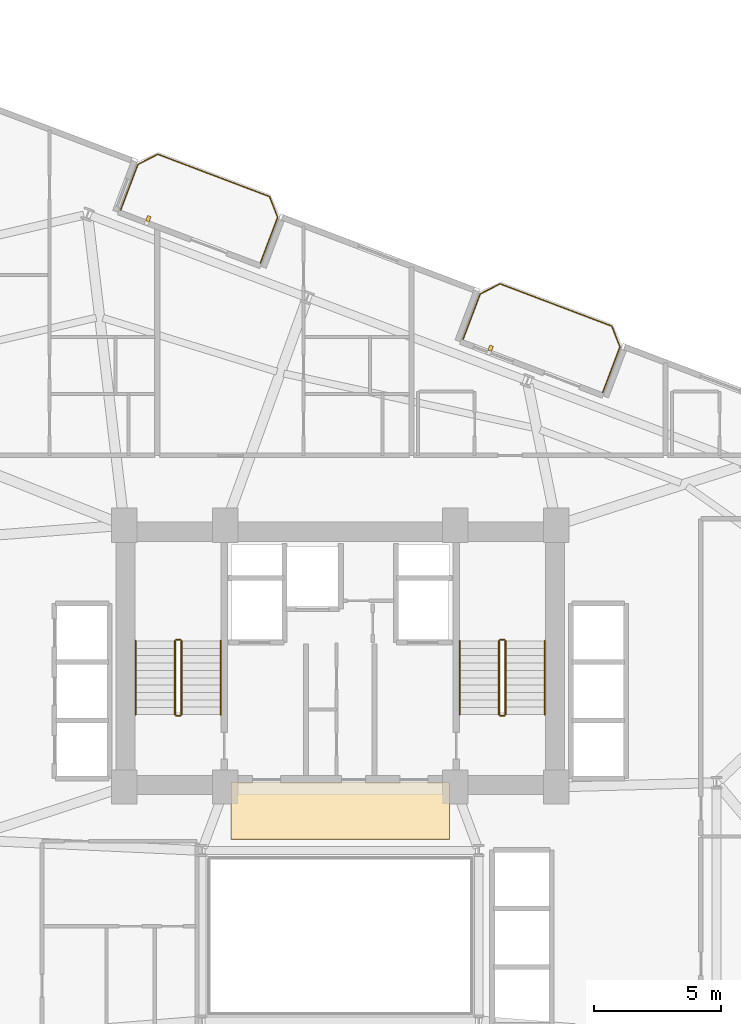
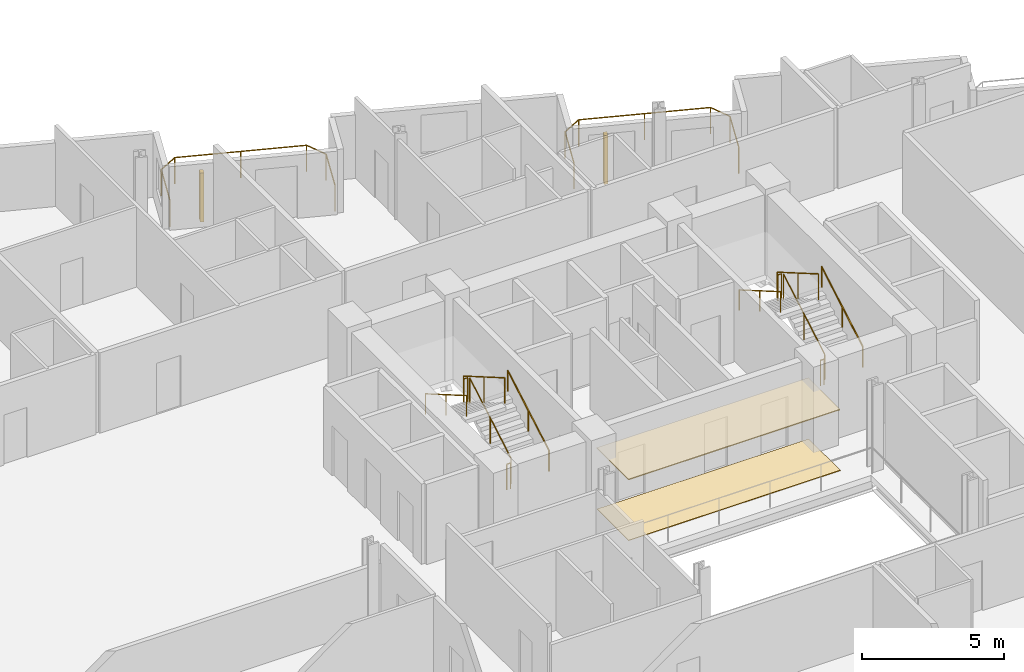
# One storey, part 23 of 24: 14 railings, 2 coverings, 2 shading devices.
"""IFC4 building model written with IfcOpenShell, lengths in metres."""

from ifc_helpers import new_model, si_unit, direction, frame, origin, origin_2d, place, context, subcontext, project, spatial, rectangle, circle, extrude, source, transform, mapped, material, layer, layer_set, type_object, element, save


model = new_model("IFC4")

# Units and contexts
model_context = context("Model", 3, precision=1e-05, world=origin(), true_north=direction((0.0, 1.0)))
body_context = subcontext(model_context, "Body", "Model", "MODEL_VIEW")
ifc_project = project(units=[si_unit("LENGTHUNIT", "METRE"), si_unit("AREAUNIT", "SQUARE_METRE"), si_unit("VOLUMEUNIT", "CUBIC_METRE"), si_unit("PLANEANGLEUNIT", "RADIAN"), si_unit("MASSUNIT", "GRAM", prefix="KILO")], contexts=[model_context])

# Site, building, storey
site_placement = place(None, origin())
site = spatial("IfcSite", under=ifc_project, at=site_placement, CompositionType="ELEMENT")
building_placement = place(site_placement, origin())
building = spatial("IfcBuilding", under=site, at=building_placement, Name="Varnelok Gate Tower", CompositionType="ELEMENT")
storey_placement = place(building_placement, frame((0.0, 0.0, 98.39990234375)))
storey = spatial("IfcBuildingStorey", under=building, at=storey_placement, Name="L24", CompositionType="ELEMENT", Elevation=98.39990234375)

# Railings
ifc_material_1 = material(Name="Low-E Laminated Double Glazing IGU", Category="glass")
railing_type_1 = type_object("IfcRailingType", Name="RL-BALC-1150", PredefinedType="BALUSTRADE", material=ifc_material_1)
railing_1_placement = place(storey_placement, frame((30.560302734375, 51.453125, 0.0)))
element("IfcRailing", 1, at=railing_1_placement, inside=storey, type_object=railing_type_1, Name="L24 North Terrace Balustrade 4", PredefinedType="BALUSTRADE", context=body_context, shape_type="SweptSolid", body=[
    extrude(circle(Radius=0.02392578125, at=origin_2d()), frame((0.0, 0.0, 1.1259765625), z_axis=(0.354006333352, 0.935243025073, 0.0), x_axis=(-0.935243025073, 0.354006333352, 0.0)), (0.0, 0.0, 1.0), 1.919921875),
    extrude(circle(Radius=0.02392578125, at=origin_2d()), frame((0.6796875, 1.795654296875, 1.1259765625), z_axis=(0.89078254773, 0.454429810487, 0.0), x_axis=(-0.454429810487, 0.89078254773, 0.0)), (0.0, 0.0, 1.0), 0.8779296875),
    extrude(circle(Radius=0.02392578125, at=origin_2d()), frame((1.461669921875, 2.194580078125, 1.1259765625), z_axis=(0.935223045203, -0.354059113314, 0.0), x_axis=(0.354059113314, 0.935223045203, 0.0)), (0.0, 0.0, 1.0), 4.699951171875),
    extrude(circle(Radius=0.02392578125, at=origin_2d()), frame((5.857177734375, 0.530517578125, 1.1259765625), z_axis=(0.366349384437, -0.930477365938, 0.0), x_axis=(0.930477365938, 0.366349384437, 0.0)), (0.0, 0.0, 1.0), 0.877685546875),
    extrude(circle(Radius=0.02392578125, at=origin_2d()), frame((6.1787109375, -0.2861328125, 1.1259765625), z_axis=(-0.354006333352, -0.935243025073, 0.0), x_axis=(0.935243025073, -0.354006333352, 0.0)), (0.0, 0.0, 1.0), 1.919921875),
    extrude(circle(Radius=0.02099609375, at=origin_2d()), origin(), (0.0, 0.0, 1.0), 1.101806640625),
    extrude(circle(Radius=0.02099609375, at=origin_2d()), frame((0.6796875, 1.795654296875, 0.0)), (0.0, 0.0, 1.0), 1.101806640625),
    extrude(circle(Radius=0.02099609375, at=origin_2d()), frame((1.461669921875, 2.194580078125, 0.0)), (0.0, 0.0, 1.0), 1.101806640625),
    extrude(circle(Radius=0.02099609375, at=origin_2d()), frame((3.659423828125, 1.362548828125, 0.0)), (0.0, 0.0, 1.0), 1.101806640625),
    extrude(circle(Radius=0.02099609375, at=origin_2d()), frame((5.857177734375, 0.530517578125, 0.0)), (0.0, 0.0, 1.0), 1.101806640625),
    extrude(circle(Radius=0.02099609375, at=origin_2d()), frame((6.1787109375, -0.2861328125, 0.0)), (0.0, 0.0, 1.0), 1.101806640625),
    extrude(circle(Radius=0.02099609375, at=origin_2d()), frame((5.4990234375, -2.081787109375, 0.0)), (0.0, 0.0, 1.0), 1.101806640625),
])
railing_2_placement = place(storey_placement, frame((44.02734375, 46.354736328125, 0.0)))
element("IfcRailing", 2, at=railing_2_placement, inside=storey, type_object=railing_type_1, Name="L24 North Terrace Balustrade 5", PredefinedType="BALUSTRADE", context=body_context, shape_type="SweptSolid", body=[
    extrude(circle(Radius=0.02392578125, at=origin_2d()), frame((0.0, 0.0, 1.1259765625), z_axis=(0.354117547856, 0.935200920819, 0.0), x_axis=(-0.935200920819, 0.354117547856, 0.0)), (0.0, 0.0, 1.0), 1.920166015625),
    extrude(circle(Radius=0.02392578125, at=origin_2d()), frame((0.679931640625, 1.795654296875, 1.1259765625), z_axis=(0.890725095116, 0.454542412686, 0.0), x_axis=(-0.454542412686, 0.890725095116, 0.0)), (0.0, 0.0, 1.0), 0.877685546875),
    extrude(circle(Radius=0.02392578125, at=origin_2d()), frame((1.461669921875, 2.194580078125, 1.1259765625), z_axis=(0.935223045203, -0.354059113314, 0.0), x_axis=(0.354059113314, 0.935223045203, 0.0)), (0.0, 0.0, 1.0), 4.699951171875),
    extrude(circle(Radius=0.02392578125, at=origin_2d()), frame((5.857177734375, 0.530517578125, 1.1259765625), z_axis=(0.366495340819, -0.93041988648, 0.0), x_axis=(0.93041988648, 0.366495340819, 0.0)), (0.0, 0.0, 1.0), 0.8779296875),
    extrude(circle(Radius=0.02392578125, at=origin_2d()), frame((6.178955078125, -0.286376953125, 1.1259765625), z_axis=(-0.354006333352, -0.935243025073, 0.0), x_axis=(0.935243025073, -0.354006333352, 0.0)), (0.0, 0.0, 1.0), 1.919921875),
    extrude(circle(Radius=0.02099609375, at=origin_2d()), origin(), (0.0, 0.0, 1.0), 1.101806640625),
    extrude(circle(Radius=0.02099609375, at=origin_2d()), frame((0.679931640625, 1.795654296875, 0.0)), (0.0, 0.0, 1.0), 1.101806640625),
    extrude(circle(Radius=0.02099609375, at=origin_2d()), frame((1.461669921875, 2.194580078125, 0.0)), (0.0, 0.0, 1.0), 1.101806640625),
    extrude(circle(Radius=0.02099609375, at=origin_2d()), frame((3.659423828125, 1.362548828125, 0.0)), (0.0, 0.0, 1.0), 1.101806640625),
    extrude(circle(Radius=0.02099609375, at=origin_2d()), frame((5.857177734375, 0.530517578125, 0.0)), (0.0, 0.0, 1.0), 1.101806640625),
    extrude(circle(Radius=0.02099609375, at=origin_2d()), frame((6.178955078125, -0.286376953125, 0.0)), (0.0, 0.0, 1.0), 1.101806640625),
    extrude(circle(Radius=0.02099609375, at=origin_2d()), frame((5.499267578125, -2.08203125, 0.0)), (0.0, 0.0, 1.0), 1.101806640625),
])
ifc_material_2 = material(Name="Brushed Stainless Steel AISI 316", Category="steel")
railing_type_2 = type_object("IfcRailingType", Name="RL-HANDRAIL-900", PredefinedType="HANDRAIL", material=ifc_material_2)
railing_3_placement = place(storey_placement, frame((34.5, 31.60009765625, 0.168212890625)))
element("IfcRailing", 3, at=railing_3_placement, inside=storey, type_object=railing_type_2, Name="L24 ST-1 stair handrail 1", PredefinedType="HANDRAIL", context=body_context, shape_type="SweptSolid", body=[
    extrude(circle(Radius=0.02392578125, at=origin_2d()), frame((0.0, 0.0, 0.8759765625), z_axis=(0.0, 0.865038774852, 0.501705010941), x_axis=(-1.0, 0.0, 0.0)), (0.0, 0.0, 1.0), 3.352294921875),
    extrude(circle(Radius=0.02099609375, at=origin_2d()), origin(), (0.0, 0.0, 1.0), 0.851806640625),
    extrude(circle(Radius=0.02099609375, at=origin_2d()), frame((0.0, 1.449951171875, 0.8408203125)), (0.0, 0.0, 1.0), 0.851806640625),
    extrude(circle(Radius=0.02099609375, at=origin_2d()), frame((0.0, 2.89990234375, 1.681884765625)), (0.0, 0.0, 1.0), 0.851806640625),
])
railing_4_placement = place(storey_placement, frame((31.14990234375, 34.5, 2.018310546875)))
element("IfcRailing", 4, at=railing_4_placement, inside=storey, type_object=railing_type_2, Name="L24 ST-1 stair handrail 2", PredefinedType="HANDRAIL", context=body_context, shape_type="SweptSolid", body=[
    extrude(circle(Radius=0.02392578125, at=origin_2d()), frame((0.0, 0.0, 0.8759765625), z_axis=(0.0, -0.865038774852, 0.501705010941), x_axis=(1.0, 0.0, 0.0)), (0.0, 0.0, 1.0), 3.352294921875),
    extrude(circle(Radius=0.02099609375, at=origin_2d()), origin(), (0.0, 0.0, 1.0), 0.851806640625),
    extrude(circle(Radius=0.02099609375, at=origin_2d()), frame((0.0, -1.449951171875, 0.8408203125)), (0.0, 0.0, 1.0), 0.851806640625),
    extrude(circle(Radius=0.02099609375, at=origin_2d()), frame((0.0, -2.89990234375, 1.681884765625)), (0.0, 0.0, 1.0), 0.851806640625),
])
railing_5_placement = place(storey_placement, frame((47.25, 31.60009765625, 0.168212890625)))
element("IfcRailing", 5, at=railing_5_placement, inside=storey, type_object=railing_type_2, Name="L24 ST-2 stair handrail 1", PredefinedType="HANDRAIL", context=body_context, shape_type="SweptSolid", body=[
    extrude(circle(Radius=0.02392578125, at=origin_2d()), frame((0.0, 0.0, 0.8759765625), z_axis=(0.0, 0.865038774852, 0.501705010941), x_axis=(-1.0, 0.0, 0.0)), (0.0, 0.0, 1.0), 3.352294921875),
    extrude(circle(Radius=0.02099609375, at=origin_2d()), origin(), (0.0, 0.0, 1.0), 0.851806640625),
    extrude(circle(Radius=0.02099609375, at=origin_2d()), frame((0.0, 1.449951171875, 0.8408203125)), (0.0, 0.0, 1.0), 0.851806640625),
    extrude(circle(Radius=0.02099609375, at=origin_2d()), frame((0.0, 2.89990234375, 1.681884765625)), (0.0, 0.0, 1.0), 0.851806640625),
])
railing_6_placement = place(storey_placement, frame((43.89990234375, 34.5, 2.018310546875)))
element("IfcRailing", 6, at=railing_6_placement, inside=storey, type_object=railing_type_2, Name="L24 ST-2 stair handrail 2", PredefinedType="HANDRAIL", context=body_context, shape_type="SweptSolid", body=[
    extrude(circle(Radius=0.02392578125, at=origin_2d()), frame((0.0, 0.0, 0.8759765625), z_axis=(0.0, -0.865038774852, 0.501705010941), x_axis=(1.0, 0.0, 0.0)), (0.0, 0.0, 1.0), 3.352294921875),
    extrude(circle(Radius=0.02099609375, at=origin_2d()), origin(), (0.0, 0.0, 1.0), 0.851806640625),
    extrude(circle(Radius=0.02099609375, at=origin_2d()), frame((0.0, -1.449951171875, 0.8408203125)), (0.0, 0.0, 1.0), 0.851806640625),
    extrude(circle(Radius=0.02099609375, at=origin_2d()), frame((0.0, -2.89990234375, 1.681884765625)), (0.0, 0.0, 1.0), 0.851806640625),
])
ifc_material_3 = material(Name="Galvanized Steel Grade S350GD", Category="steel")
railing_type_3 = type_object("IfcRailingType", Name="RL-STAIR-GUARD1120", PredefinedType="GUARDRAIL", material=ifc_material_3)
railing_7_placement = place(storey_placement, frame((32.949951171875, 31.60009765625, 0.168212890625)))
element("IfcRailing", 7, at=railing_7_placement, inside=storey, type_object=railing_type_3, Name="L24 ST-1 stair guard 1", PredefinedType="GUARDRAIL", context=body_context, shape_type="SweptSolid", body=[
    extrude(circle(Radius=0.02392578125, at=origin_2d()), frame((0.0, 0.0, 1.09619140625), z_axis=(0.0, 0.865038774852, 0.501705010941), x_axis=(-1.0, 0.0, 0.0)), (0.0, 0.0, 1.0), 3.352294921875),
    extrude(circle(Radius=0.02099609375, at=origin_2d()), origin(), (0.0, 0.0, 1.0), 1.072021484375),
    extrude(circle(Radius=0.02099609375, at=origin_2d()), frame((0.0, 1.449951171875, 0.8408203125)), (0.0, 0.0, 1.0), 1.072021484375),
    extrude(circle(Radius=0.02099609375, at=origin_2d()), frame((0.0, 2.89990234375, 1.681884765625)), (0.0, 0.0, 1.0), 1.072021484375),
])
railing_8_placement = place(storey_placement, frame((32.89990234375, 34.550048828125, 1.85009765625)))
element("IfcRailing", 8, at=railing_8_placement, inside=storey, type_object=railing_type_3, Name="L24 ST-1 stair guard 2", PredefinedType="GUARDRAIL", context=body_context, shape_type="SweptSolid", body=[
    extrude(circle(Radius=0.02392578125, at=origin_2d()), frame((0.0, 0.0, 1.09619140625), z_axis=(-1.0, 0.0, 0.0), x_axis=(0.0, -1.0, 0.0)), (0.0, 0.0, 1.0), 0.14990234375),
    extrude(circle(Radius=0.02099609375, at=origin_2d()), origin(), (0.0, 0.0, 1.0), 1.072021484375),
    extrude(circle(Radius=0.02099609375, at=origin_2d()), frame((-0.14990234375, 0.0, 0.0)), (0.0, 0.0, 1.0), 1.072021484375),
])
railing_9_placement = place(storey_placement, frame((32.699951171875, 34.5, 2.018310546875)))
element("IfcRailing", 9, at=railing_9_placement, inside=storey, type_object=railing_type_3, Name="L24 ST-1 stair guard 3", PredefinedType="GUARDRAIL", context=body_context, shape_type="SweptSolid", body=[
    extrude(circle(Radius=0.02392578125, at=origin_2d()), frame((0.0, 0.0, 1.09619140625), z_axis=(0.0, -0.865038774852, 0.501705010941), x_axis=(1.0, 0.0, 0.0)), (0.0, 0.0, 1.0), 3.352294921875),
    extrude(circle(Radius=0.02099609375, at=origin_2d()), origin(), (0.0, 0.0, 1.0), 1.072021484375),
    extrude(circle(Radius=0.02099609375, at=origin_2d()), frame((0.0, -1.449951171875, 0.8408203125)), (0.0, 0.0, 1.0), 1.072021484375),
    extrude(circle(Radius=0.02099609375, at=origin_2d()), frame((0.0, -2.89990234375, 1.681884765625)), (0.0, 0.0, 1.0), 1.072021484375),
])
railing_10_placement = place(storey_placement, frame((32.89990234375, 31.550048828125, 0.0)))
element("IfcRailing", 10, at=railing_10_placement, inside=storey, type_object=railing_type_3, Name="L24 ST-1 stair guard 4", PredefinedType="GUARDRAIL", context=body_context, shape_type="SweptSolid", body=[
    extrude(circle(Radius=0.02392578125, at=origin_2d()), frame((0.0, 0.0, 1.09619140625), z_axis=(-1.0, 0.0, 0.0), x_axis=(0.0, -1.0, 0.0)), (0.0, 0.0, 1.0), 0.14990234375),
    extrude(circle(Radius=0.02099609375, at=origin_2d()), origin(), (0.0, 0.0, 1.0), 1.072021484375),
    extrude(circle(Radius=0.02099609375, at=origin_2d()), frame((-0.14990234375, 0.0, 0.0)), (0.0, 0.0, 1.0), 1.072021484375),
])
railing_11_placement = place(storey_placement, frame((45.699951171875, 31.60009765625, 0.168212890625)))
element("IfcRailing", 11, at=railing_11_placement, inside=storey, type_object=railing_type_3, Name="L24 ST-2 stair guard 1", PredefinedType="GUARDRAIL", context=body_context, shape_type="SweptSolid", body=[
    extrude(circle(Radius=0.02392578125, at=origin_2d()), frame((0.0, 0.0, 1.09619140625), z_axis=(0.0, 0.865038774852, 0.501705010941), x_axis=(-1.0, 0.0, 0.0)), (0.0, 0.0, 1.0), 3.352294921875),
    extrude(circle(Radius=0.02099609375, at=origin_2d()), origin(), (0.0, 0.0, 1.0), 1.072021484375),
    extrude(circle(Radius=0.02099609375, at=origin_2d()), frame((0.0, 1.449951171875, 0.8408203125)), (0.0, 0.0, 1.0), 1.072021484375),
    extrude(circle(Radius=0.02099609375, at=origin_2d()), frame((0.0, 2.89990234375, 1.681884765625)), (0.0, 0.0, 1.0), 1.072021484375),
])
railing_12_placement = place(storey_placement, frame((45.64990234375, 34.550048828125, 1.85009765625)))
element("IfcRailing", 12, at=railing_12_placement, inside=storey, type_object=railing_type_3, Name="L24 ST-2 stair guard 2", PredefinedType="GUARDRAIL", context=body_context, shape_type="SweptSolid", body=[
    extrude(circle(Radius=0.02392578125, at=origin_2d()), frame((0.0, 0.0, 1.09619140625), z_axis=(-1.0, 0.0, 0.0), x_axis=(0.0, -1.0, 0.0)), (0.0, 0.0, 1.0), 0.14990234375),
    extrude(circle(Radius=0.02099609375, at=origin_2d()), origin(), (0.0, 0.0, 1.0), 1.072021484375),
    extrude(circle(Radius=0.02099609375, at=origin_2d()), frame((-0.14990234375, 0.0, 0.0)), (0.0, 0.0, 1.0), 1.072021484375),
])
railing_13_placement = place(storey_placement, frame((45.449951171875, 34.5, 2.018310546875)))
element("IfcRailing", 13, at=railing_13_placement, inside=storey, type_object=railing_type_3, Name="L24 ST-2 stair guard 3", PredefinedType="GUARDRAIL", context=body_context, shape_type="SweptSolid", body=[
    extrude(circle(Radius=0.02392578125, at=origin_2d()), frame((0.0, 0.0, 1.09619140625), z_axis=(0.0, -0.865038774852, 0.501705010941), x_axis=(1.0, 0.0, 0.0)), (0.0, 0.0, 1.0), 3.352294921875),
    extrude(circle(Radius=0.02099609375, at=origin_2d()), origin(), (0.0, 0.0, 1.0), 1.072021484375),
    extrude(circle(Radius=0.02099609375, at=origin_2d()), frame((0.0, -1.449951171875, 0.8408203125)), (0.0, 0.0, 1.0), 1.072021484375),
    extrude(circle(Radius=0.02099609375, at=origin_2d()), frame((0.0, -2.89990234375, 1.681884765625)), (0.0, 0.0, 1.0), 1.072021484375),
])
railing_14_placement = place(storey_placement, frame((45.64990234375, 31.550048828125, 0.0)))
element("IfcRailing", 14, at=railing_14_placement, inside=storey, type_object=railing_type_3, Name="L24 ST-2 stair guard 4", PredefinedType="GUARDRAIL", context=body_context, shape_type="SweptSolid", body=[
    extrude(circle(Radius=0.02392578125, at=origin_2d()), frame((0.0, 0.0, 1.09619140625), z_axis=(-1.0, 0.0, 0.0), x_axis=(0.0, -1.0, 0.0)), (0.0, 0.0, 1.0), 0.14990234375),
    extrude(circle(Radius=0.02099609375, at=origin_2d()), origin(), (0.0, 0.0, 1.0), 1.072021484375),
    extrude(circle(Radius=0.02099609375, at=origin_2d()), frame((-0.14990234375, 0.0, 0.0)), (0.0, 0.0, 1.0), 1.072021484375),
])

# Shading devices
ifc_material_4 = material(Name="Glazed Architectural Terracotta Ceramic", Category="masonry")
shading_device_type = type_object("IfcShadingDeviceType", Name="SHD-TERRA-BAGUETTE", PredefinedType="USERDEFINED", material=ifc_material_4)
shared_shape_1 = source(origin(), body_context, "Body", "SweptSolid", [
    extrude(rectangle(XDim=0.139892578125, YDim=0.219970703125, at=origin_2d()), origin(), (0.0, 0.0, 1.0), 2.10009765625),
])
for number, where, z_axis, x_axis, name in (
    (15, (31.651123046875, 51.114990234375, 0.10009765625), (0.0, 0.0, 1.0), (0.935221751401, -0.354062530786, 0.0), "L24 Terracotta Ceramic Baguette Sunscreen 4.1"),
    (16, (45.118408203125, 46.0166015625, 0.10009765625), (0.0, 0.0, 1.0), (0.935221751401, -0.354062530786, 0.0), "L24 Terracotta Ceramic Baguette Sunscreen 5.1"),
):
    element("IfcShadingDevice", number, at=place(storey_placement, frame(where, z_axis=z_axis, x_axis=x_axis)), inside=storey, type_object=shading_device_type, Name=name, ObjectType="BAGUETTE", PredefinedType="USERDEFINED", context=body_context, shape_type="MappedRepresentation", body=[
        mapped(shared_shape_1, transform((0.0, 0.0, 0.0), scale=1.0)),
    ])

# Coverings
ifc_material_5 = material(Name="Honed Travertine Stone Flooring", Category="masonry")
ifc_layer_1 = layer(ifc_material_5, 0.02490234375)
ifc_layer_set_1 = layer_set([ifc_layer_1], Name="Honed Travertine Stone Flooring")
covering_type_1 = type_object("IfcCoveringType", Name="COV-FLOR-STONE", PredefinedType="FLOORING", material=ifc_layer_set_1)
shared_shape_2 = source(origin(), body_context, "Body", "SweptSolid", [
    extrude(rectangle(XDim=8.60009765625, YDim=2.219970703125, at=origin_2d()), origin(), (0.0, 0.0, 1.0), 0.02490234375),
])
covering_1_placement = place(storey_placement, frame((39.199951171875, 27.800048828125, 0.000244140625), z_axis=(0.0, 0.0, 1.0), x_axis=(1.0, 0.0, 0.0)))
element("IfcCovering", 17, at=covering_1_placement, inside=storey, type_object=covering_type_1, Name="L24 Core Gallery Stone Flooring", PredefinedType="FLOORING", context=body_context, shape_type="MappedRepresentation", body=[
    mapped(shared_shape_2, transform((0.0, 0.0, 0.0), scale=1.0)),
])
ifc_material_6 = material(Name="Mineral Fiber Acoustic Ceiling Tile")
ifc_layer_2 = layer(ifc_material_6, 0.0400390625)
ifc_layer_set_2 = layer_set([ifc_layer_2], Name="Mineral Fiber Acoustic Ceiling Tile")
covering_type_2 = type_object("IfcCoveringType", Name="COV-CEIL-ACOUST", PredefinedType="CEILING", material=ifc_layer_set_2)
shared_shape_3 = source(origin(), body_context, "Body", "SweptSolid", [
    extrude(rectangle(XDim=8.60009765625, YDim=2.239990234375, at=origin_2d()), origin(), (0.0, 0.0, 1.0), 0.0400390625),
])
covering_2_placement = place(storey_placement, frame((39.199951171875, 27.820068359375, 2.60009765625), z_axis=(0.0, 0.0, 1.0), x_axis=(1.0, 0.0, 0.0)))
element("IfcCovering", 18, at=covering_2_placement, inside=storey, type_object=covering_type_2, Name="L24 Core Gallery Acoustic Ceiling", PredefinedType="CEILING", context=body_context, shape_type="MappedRepresentation", body=[
    mapped(shared_shape_3, transform((0.0, 0.0, 0.0), scale=1.0)),
])

save(model, "model.ifc")
